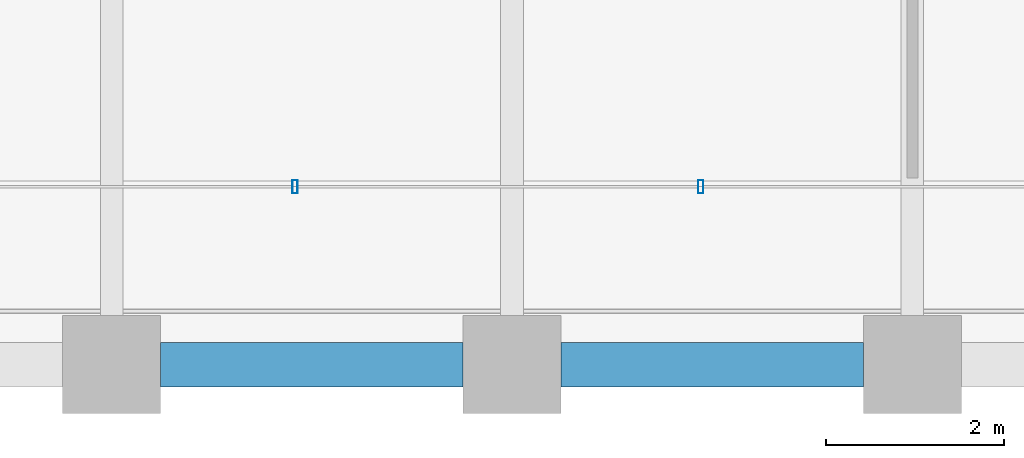
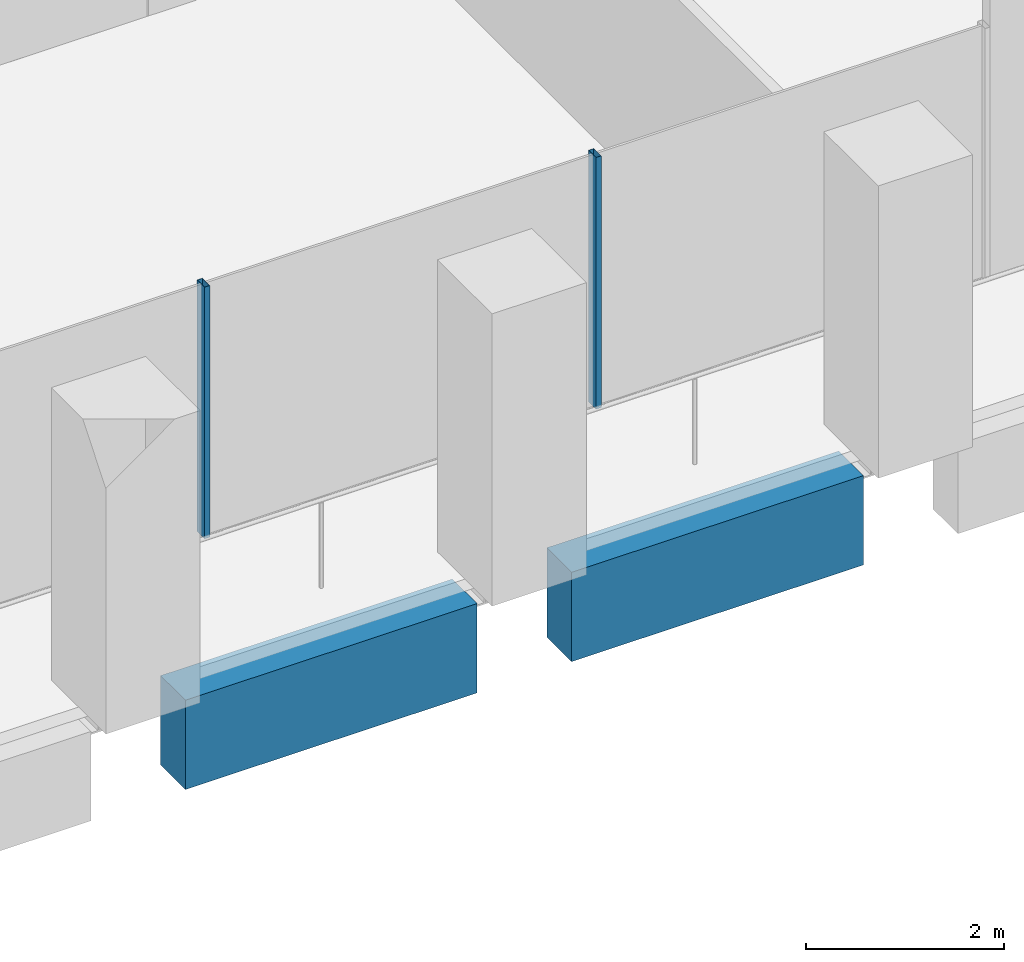
# One storey, part 3 of 56: 2 beams, 2 members, 1 element without a shape of its own.
"""IFC4 building model written with IfcOpenShell, lengths in metres."""

import ifcopenshell
import ifcopenshell.guid

model = None  # the IFC model being written
_history = None  # IfcOwnerHistory: only IFC2X3 demands one
_inside = {}  # id of a spatial element -> (the spatial element, [elements in it])
_under = {}  # id of a project, library or spatial element -> (it, [spatial elements below it])
_declared = {}  # id of a project -> (the project, [libraries it declares])
_typed = {}  # id of a type object -> (the type object, [elements of that type])
_made_of = {}  # id of a material, layer set ... -> (it, [elements and type objects made of it])


def new_model(schema):
    """Start an empty IFC model of exactly this schema.

    Asked for "IFC4X3", IfcOpenShell would pick the latest addendum, in which some entities
    have other attributes; the version numbers below select the first issue.
    IFC2X3 requires an IfcOwnerHistory on every rooted entity: one is made here for all.
    """
    global model, _history
    if schema == "IFC4X3":
        model = ifcopenshell.file(schema_version=(4, 3, 0, 0))
    else:
        model = ifcopenshell.file(schema=schema)
    _inside.clear()
    _under.clear()
    _declared.clear()
    _typed.clear()
    _made_of.clear()
    _history = None
    if model.schema == "IFC2X3":
        org = make("IfcOrganization", Name="unknown")
        user = make(
            "IfcPersonAndOrganization",
            ThePerson=make("IfcPerson", FamilyName="unknown"),
            TheOrganization=org,
        )
        app = make(
            "IfcApplication",
            ApplicationDeveloper=org,
            Version="unknown",
            ApplicationFullName="unknown",
            ApplicationIdentifier="unknown",
        )
        _history = make(
            "IfcOwnerHistory",
            OwningUser=user,
            OwningApplication=app,
            ChangeAction="ADDED",
            CreationDate=0,
        )
    return model


def make(cls, **values):
    """One entity of the class cls with the attributes given. An attribute that is None is left unset."""
    return model.create_entity(
        cls, **{name: value for name, value in values.items() if value is not None}
    )


def rooted(cls, **values):
    """An entity with a GlobalId (a new one), such as an element, a storey or a relation."""
    return make(cls, GlobalId=ifcopenshell.guid.new(), OwnerHistory=_history, **values)


def si_unit(unit_type, name, prefix=None):
    """IfcSIUnit, for example si_unit("LENGTHUNIT", "METRE", prefix="MILLI")."""
    return make("IfcSIUnit", UnitType=unit_type, Prefix=prefix, Name=name)


def assignment(units):
    """IfcUnitAssignment: the units of a project."""
    return None if units is None else make("IfcUnitAssignment", Units=units)


def point(xyz):
    """IfcCartesianPoint."""
    return None if xyz is None else make("IfcCartesianPoint", Coordinates=xyz)


def direction(xyz):
    """IfcDirection."""
    return None if xyz is None else make("IfcDirection", DirectionRatios=xyz)


def frame(location, z_axis=None, x_axis=None):
    """IfcAxis2Placement3D, a coordinate frame: its origin and axes. An axis left out is left unset."""
    return make(
        "IfcAxis2Placement3D",
        Location=point(location),
        Axis=direction(z_axis),
        RefDirection=direction(x_axis),
    )


def frame_2d(location, x_axis=None):
    """IfcAxis2Placement2D, a coordinate frame in the plane: its origin and x axis."""
    return make(
        "IfcAxis2Placement2D", Location=point(location), RefDirection=direction(x_axis)
    )


def origin():
    """The frame at (0, 0, 0) with its axes left unset."""
    return frame((0.0, 0.0, 0.0))


def origin_2d():
    """The frame at (0, 0) in the plane with its x axis left unset."""
    return frame_2d((0.0, 0.0))


def place(relative_to, where):
    """IfcLocalPlacement: puts the frame where relative to a parent placement (None: the world)."""
    return make(
        "IfcLocalPlacement", PlacementRelTo=relative_to, RelativePlacement=where
    )


def context(
    kind, dimensions, precision=None, world=None, true_north=None, identifier=None
):
    """IfcGeometricRepresentationContext, for example the 3D "Model" context."""
    return make(
        "IfcGeometricRepresentationContext",
        ContextIdentifier=identifier,
        ContextType=kind,
        CoordinateSpaceDimension=dimensions,
        Precision=precision,
        WorldCoordinateSystem=world,
        TrueNorth=true_north,
    )


def subcontext(parent, identifier, kind, view, scale=None):
    """IfcGeometricRepresentationSubContext, for example "Body" below "Model"."""
    return make(
        "IfcGeometricRepresentationSubContext",
        ContextIdentifier=identifier,
        ContextType=kind,
        ParentContext=parent,
        TargetScale=scale,
        TargetView=view,
    )


def project(units=None, contexts=None):
    """IfcProject with its units and contexts."""
    return rooted(
        "IfcProject",
        Name="project",
        RepresentationContexts=contexts,
        UnitsInContext=assignment(units),
    )


def spatial(cls, under=None, at=None, **own):
    """A site, building, storey or space (cls), placed at a placement, below another one or the project."""
    s = rooted(cls, ObjectPlacement=at, **own)
    if under is not None:
        _under.setdefault(under.id(), (under, []))[1].append(s)
    return s


def profile(cls, at=None, kind="AREA", **sizes):
    """A parametric profile (cls). Its sizes go by their IFC names, for example OverallWidth=200.0."""
    return make(cls, ProfileType=kind, Position=at, **sizes)


def rectangle(**sizes):
    """IfcRectangleProfileDef."""
    return profile("IfcRectangleProfileDef", **sizes)


def hollow_rectangle(**sizes):
    """IfcRectangleHollowProfileDef."""
    return profile("IfcRectangleHollowProfileDef", **sizes)


def extrude(swept, where, along, depth):
    """IfcExtrudedAreaSolid: the profile swept, set in the frame where, extruded along a direction by depth."""
    return make(
        "IfcExtrudedAreaSolid",
        SweptArea=swept,
        Position=where,
        ExtrudedDirection=direction(along),
        Depth=depth,
    )


def shape(context_of_items, identifier, shape_type, items):
    """IfcShapeRepresentation: the items that make up one representation, for example the "Body"."""
    return make(
        "IfcShapeRepresentation",
        ContextOfItems=context_of_items,
        RepresentationIdentifier=identifier,
        RepresentationType=shape_type,
        Items=items,
    )


def material(Name=None, Category=None):
    """IfcMaterial."""
    return make("IfcMaterial", Name=Name, Category=Category)


def material_profile(
    of_material, cross_section, Name=None, Category=None, Priority=None
):
    """IfcMaterialProfile: a cross section and its material."""
    return make(
        "IfcMaterialProfile",
        Name=Name,
        Material=of_material,
        Profile=cross_section,
        Priority=Priority,
        Category=Category,
    )


def profile_set(profiles, Name=None, composite=None):
    """IfcMaterialProfileSet."""
    return make(
        "IfcMaterialProfileSet",
        Name=Name,
        MaterialProfiles=profiles,
        CompositeProfile=composite,
    )


def made_of(thing, what):
    """Note that an element or type object is made of a material, layer set ...; save() writes the relation."""
    if what is not None:
        _made_of.setdefault(what.id(), (what, []))[1].append(thing)
    return thing


def type_object(cls, material=None, **own):
    """A type object (cls), such as IfcWallType, which elements share."""
    return made_of(rooted(cls, **own), material)


def element(
    cls,
    number,
    at=None,
    inside=None,
    cuts=None,
    type_object=None,
    material=None,
    context=None,
    identifier="Body",
    shape_type=None,
    held_by="IfcProductDefinitionShape",
    body=None,
    shapes=None,
    **own,
):
    """One element of the class cls, such as IfcWall. Its Tag is "e" and its number.

    at: its placement. inside: the storey or other place that contains it. cuts: it is an
    opening in that element (IfcRelVoidsElement). A single representation is given by context,
    identifier, shape_type and body (its items); several are given by shapes. held_by: the class
    of the entity that holds the representations. save() writes the other relations.
    """
    e = rooted(cls, Tag="e%d" % number, ObjectPlacement=at, **own)
    if body is not None:
        shapes = [shape(context, identifier, shape_type, body)]
    if shapes is not None:
        e.Representation = make(held_by, Representations=shapes)
    if inside is not None:
        _inside.setdefault(inside.id(), (inside, []))[1].append(e)
    if cuts is not None:
        rooted(
            "IfcRelVoidsElement", RelatingBuildingElement=cuts, RelatedOpeningElement=e
        )
    if type_object is not None:
        _typed.setdefault(type_object.id(), (type_object, []))[1].append(e)
    return made_of(e, material)


def aggregate(whole, parts):
    """IfcRelAggregates: a whole, such as a stair, and the parts it consists of."""
    return rooted("IfcRelAggregates", RelatingObject=whole, RelatedObjects=parts)


def save(model, path):
    """Write the relations noted so far, then the file.

    IfcRelAggregates (storeys below a building ...), IfcRelContainedInSpatialStructure (elements
    in a storey), IfcRelDefinesByType, IfcRelAssociatesMaterial and IfcRelDeclares: one each for
    every whole, place, type object, material and project.
    """
    for whole, parts in _under.values():
        aggregate(whole, parts)
    for where, things in _inside.values():
        rooted(
            "IfcRelContainedInSpatialStructure",
            RelatedElements=things,
            RelatingStructure=where,
        )
    for kind, things in _typed.values():
        rooted("IfcRelDefinesByType", RelatedObjects=things, RelatingType=kind)
    for what, things in _made_of.values():
        rooted("IfcRelAssociatesMaterial", RelatedObjects=things, RelatingMaterial=what)
    for by, libraries in _declared.values():
        rooted("IfcRelDeclares", RelatingContext=by, RelatedDefinitions=libraries)
    model.write(path)


model = new_model("IFC4")

# Units and contexts
model_context = context("Model", 3, precision=1e-05, world=origin(), true_north=direction((0.0, 1.0)))
body_context = subcontext(model_context, "Body", "Model", "MODEL_VIEW")
ifc_project = project(units=[si_unit("LENGTHUNIT", "METRE"), si_unit("AREAUNIT", "SQUARE_METRE"), si_unit("VOLUMEUNIT", "CUBIC_METRE"), si_unit("PLANEANGLEUNIT", "RADIAN"), si_unit("MASSUNIT", "GRAM", prefix="KILO")], contexts=[model_context])

# Site, building, storey
site_placement = place(None, origin())
site = spatial("IfcSite", under=ifc_project, at=site_placement, CompositionType="ELEMENT")
building_placement = place(site_placement, origin())
building = spatial("IfcBuilding", under=site, at=building_placement, Name="Altepetl Exchange Towers", CompositionType="ELEMENT")
storey_placement = place(building_placement, frame((0.0, 0.0, 79.800048828125)))
storey = spatial("IfcBuildingStorey", under=building, at=storey_placement, Name="L19", CompositionType="ELEMENT", Elevation=79.800048828125)

# Curtain wall, members
ifc_material_1 = material(Name="Aluminium 6063-T6 glazing", Category="aluminium")
curtain_wall_type = type_object("IfcCurtainWallType", Name="Loggia glazing system", PredefinedType="NOTDEFINED", material=ifc_material_1)
curtain_wall_placement = place(storey_placement, origin())
curtain_wall = element("IfcCurtainWall", 1, at=curtain_wall_placement, inside=storey, type_object=curtain_wall_type, Name="CW1 run", PredefinedType="NOTDEFINED")
ifc_material_2 = material(Name="Aluminium 6063-T6", Category="aluminium")
ifc_material_profile_1 = material_profile(ifc_material_2, hollow_rectangle(XDim=0.06005859375, YDim=0.14990234375, WallThickness=0.0029296875, at=origin_2d()), Name="Mullion 60x150 aluminium")
ifc_profile_set_1 = profile_set([ifc_material_profile_1], Name="Aluminium 6063-T6")
member_type = type_object("IfcMemberType", Name="Mullion 60x150 aluminium", PredefinedType="MULLION", material=ifc_profile_set_1)
member_1_placement = place(storey_placement, frame((38.060791015625, 29.0, 0.0)))
member_1 = element("IfcMember", 2, at=member_1_placement, type_object=member_type, Name="MU1 mullion", PredefinedType="MULLION", context=body_context, shape_type="SweptSolid", body=[
    extrude(hollow_rectangle(XDim=0.06005859375, YDim=0.14990234375, WallThickness=0.0029296875, at=origin_2d()), origin(), (0.0, 0.0, 1.0), 3.099853515625),
])
member_2_placement = place(storey_placement, frame((42.621337890625, 29.0, 0.0)))
member_2 = element("IfcMember", 3, at=member_2_placement, type_object=member_type, Name="MU1 mullion", PredefinedType="MULLION", context=body_context, shape_type="SweptSolid", body=[
    extrude(hollow_rectangle(XDim=0.06005859375, YDim=0.14990234375, WallThickness=0.0029296875, at=origin_2d()), origin(), (0.0, 0.0, 1.0), 3.099853515625),
])
aggregate(curtain_wall, [member_1, member_2])

# Beams
ifc_material_3 = material(Name="Concrete C50/60 precast with cantera blanca facing", Category="concrete")
ifc_material_profile_2 = material_profile(ifc_material_3, rectangle(XDim=0.5, YDim=1.10009765625, at=origin_2d()), Name="500 x 1100")
ifc_profile_set_2 = profile_set([ifc_material_profile_2], Name="Concrete C50/60 precast with cantera blanca facing")
beam_type = type_object("IfcBeamType", Name="Spandrel beam 500x1100 cantera blanca", PredefinedType="SPANDREL", material=ifc_profile_set_2)
for number, where, z_axis, x_axis, name in (
    (4, (36.550048828125, 27.0, -0.699951171875), (1.0, 0.0, 0.0), (0.0, 1.0, 0.0), "sp:A:L19:001"),
    (5, (41.050048828125, 27.0, -0.699951171875), (1.0, 0.0, 0.0), (0.0, 1.0, 0.0), "sp:A:L19:002"),
):
    element("IfcBeam", number, at=place(storey_placement, frame(where, z_axis=z_axis, x_axis=x_axis)), inside=storey, type_object=beam_type, Name=name, PredefinedType="SPANDREL", context=body_context, shape_type="SweptSolid", body=[
        extrude(rectangle(XDim=0.5, YDim=1.10009765625, at=origin_2d()), origin(), (0.0, 0.0, 1.0), 3.39990234375),
    ])

save(model, "model.ifc")
